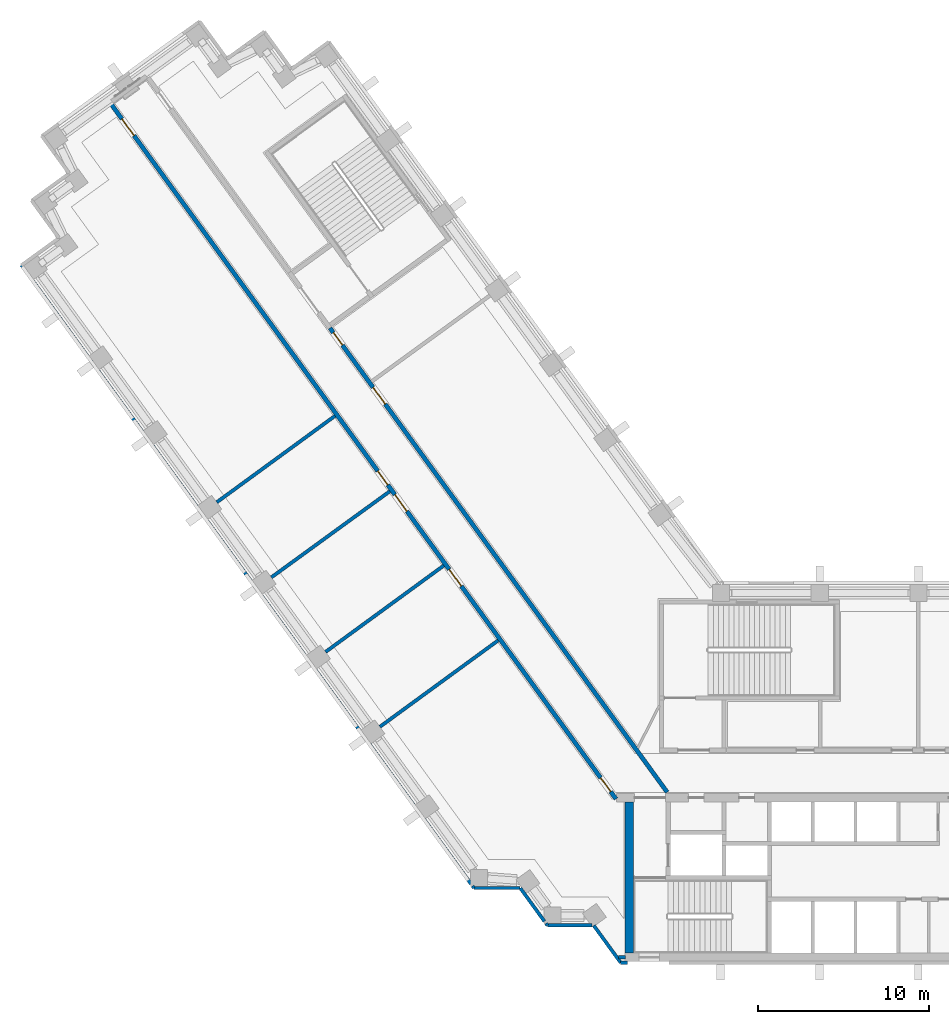
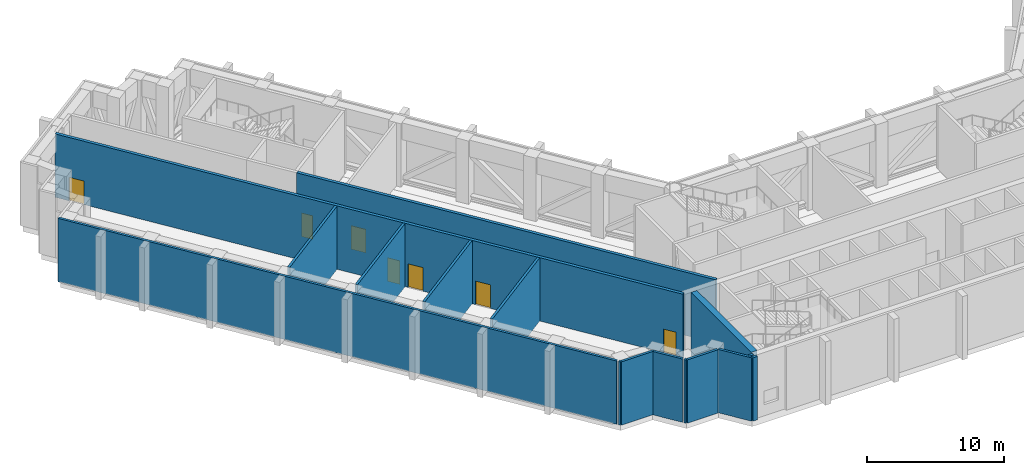
# One storey, part 11 of 19: 16 walls, 7 doors, 7 openings.
"""IFC4 building model written with IfcOpenShell, lengths in metres."""

from ifc_helpers import new_model, si_unit, direction, frame, frame_2d, origin, place, context, subcontext, project, spatial, rectangle, extrude, material, layer, layer_set, type_object, element, fill, save


model = new_model("IFC4")

# Units and contexts
model_context = context("Model", 3, precision=1e-05, world=origin(), true_north=direction((0.0, 1.0)))
body_context = subcontext(model_context, "Body", "Model", "MODEL_VIEW")
ifc_project = project(units=[si_unit("LENGTHUNIT", "METRE"), si_unit("AREAUNIT", "SQUARE_METRE"), si_unit("VOLUMEUNIT", "CUBIC_METRE"), si_unit("PLANEANGLEUNIT", "RADIAN"), si_unit("MASSUNIT", "GRAM", prefix="KILO")], contexts=[model_context])

# Site, building, storey
site_placement = place(None, origin())
site = spatial("IfcSite", under=ifc_project, at=site_placement, CompositionType="ELEMENT")
building_placement = place(site_placement, origin())
building = spatial("IfcBuilding", under=site, at=building_placement, Name="Quipu Civic Tower", CompositionType="ELEMENT")
storey_placement = place(building_placement, frame((0.0, 0.0, 25.0)))
storey = spatial("IfcBuildingStorey", under=building, at=storey_placement, Name="L05", CompositionType="ELEMENT", Elevation=25.0)

# Walls
ifc_material_1 = material(Name="Fired clay blockwork", Category="masonry")
ifc_layer_1 = layer(ifc_material_1, 0.199951171875)
ifc_layer_set_1 = layer_set([ifc_layer_1], Name="Fired clay blockwork")
wall_type_1 = type_object("IfcWallType", Name="Blockwork wall 200", PredefinedType="SOLIDWALL", material=ifc_layer_set_1)
wall_1_placement = place(storey_placement, frame((-43.835205078125, 15.80224609375, 0.0), z_axis=(0.0, 0.0, 1.0), x_axis=(0.807533485854, 0.589821726647, 0.0)))
element("IfcWall", 1, at=wall_1_placement, inside=storey, type_object=wall_type_1, Name="Partition P05", PredefinedType="SOLIDWALL", context=body_context, shape_type="SweptSolid", body=[
    extrude(rectangle(XDim=8.544921875, YDim=0.199951171875, at=frame_2d((4.2724609375, 0.0))), origin(), (0.0, 0.0, 1.0), 5.64990234375),
])
wall_2_placement = place(storey_placement, frame((-37.48681640625, 7.064208984375, 0.0), z_axis=(0.0, 0.0, 1.0), x_axis=(0.807513605299, 0.589848944441, 0.0)))
element("IfcWall", 2, at=wall_2_placement, inside=storey, type_object=wall_type_1, Name="Partition P09", PredefinedType="SOLIDWALL", context=body_context, shape_type="SweptSolid", body=[
    extrude(rectangle(XDim=8.544677734375, YDim=0.199951171875, at=frame_2d((4.2724609375, 0.0))), origin(), (0.0, 0.0, 1.0), 5.64990234375),
])
wall_3_placement = place(storey_placement, frame((-33.7373046875, 16.44091796875, 0.0), z_axis=(0.0, 0.0, 1.0), x_axis=(-0.808967063133, -0.587853970614, 0.0)))
element("IfcWall", 3, at=wall_3_placement, inside=storey, type_object=wall_type_1, Name="Partition P10", PredefinedType="SOLIDWALL", context=body_context, shape_type="SweptSolid", body=[
    extrude(rectangle(XDim=8.544921875, YDim=0.199951171875, at=frame_2d((4.2724609375, 0.0))), origin(), (0.0, 0.0, 1.0), 5.64990234375),
])
wall_4_placement = place(storey_placement, frame((-34.31298828125, 2.69580078125, 0.0), z_axis=(0.0, 0.0, 1.0), x_axis=(0.80756437274, 0.589779436639, 0.0)))
element("IfcWall", 4, at=wall_4_placement, inside=storey, type_object=wall_type_1, Name="Partition P12", PredefinedType="SOLIDWALL", context=body_context, shape_type="SweptSolid", body=[
    extrude(rectangle(XDim=8.54443359375, YDim=0.199951171875, at=frame_2d((4.272216796875, 0.0))), origin(), (0.0, 0.0, 1.0), 5.64990234375),
])
ifc_material_2 = material(Name="Concrete C70/85", Category="concrete")
ifc_layer_2 = layer(ifc_material_2, 0.5)
ifc_layer_set_2 = layer_set([ifc_layer_2], Name="Concrete C70/85")
wall_type_2 = type_object("IfcWallType", Name="Core wall 500", PredefinedType="SHEAR", material=ifc_layer_set_2)
wall_5_placement = place(storey_placement, frame((-19.75, -10.5, 0.0), z_axis=(0.0, 0.0, 1.0), x_axis=(0.0, 1.0, 0.0)))
element("IfcWall", 5, at=wall_5_placement, inside=storey, type_object=wall_type_2, Name="Core wall", PredefinedType="SHEAR", context=body_context, shape_type="SweptSolid", body=[
    extrude(rectangle(XDim=8.800048828125, YDim=0.5, at=frame_2d((4.39990234375, 0.0))), origin(), (0.0, 0.0, 1.0), 5.64990234375),
])

# Wall, openings, doors
ifc_material_3 = material(Name="Concrete C50/60", Category="concrete")
ifc_layer_3 = layer(ifc_material_3, 0.25)
ifc_layer_set_3 = layer_set([ifc_layer_3], Name="Concrete C50/60")
wall_type_3 = type_object("IfcWallType", Name="Corridor wall 250 concrete", PredefinedType="SOLIDWALL", material=ifc_layer_set_3)
wall_6_placement = place(storey_placement, frame((-20.531005859375, -1.5234375, 0.0), z_axis=(0.0, 0.0, 1.0), x_axis=(-0.587785385475, 0.809016897612, 0.0)))
wall_6 = element("IfcWall", 6, at=wall_6_placement, inside=storey, type_object=wall_type_3, Name="Corridor wall C03", PredefinedType="SOLIDWALL", context=body_context, shape_type="SweptSolid", body=[
    extrude(rectangle(XDim=50.211669921875, YDim=0.25, at=frame_2d((25.10595703125, 0.0))), origin(), (0.0, 0.0, 1.0), 5.64990234375),
])
opening_1_placement = place(wall_6_placement, frame((47.869873046875, 0.0, 0.0)))
opening_1 = element("IfcOpeningElement", 7, at=opening_1_placement, cuts=wall_6, Name="Opening D015", PredefinedType="OPENING", context=body_context, shape_type="SweptSolid", body=[
    extrude(rectangle(XDim=1.199951171875, YDim=2.10009765625, at=frame_2d((0.60009765625, 1.050048828125))), frame((0.0, 0.135009765625, 0.0), z_axis=(0.0, -1.0, 0.0), x_axis=(1.0, 0.0, 0.0)), (0.0, 0.0, 1.0), 0.27001953125),
])
opening_2_placement = place(wall_6_placement, frame((20.76513671875, 0.0, 0.0)))
opening_2 = element("IfcOpeningElement", 8, at=opening_2_placement, cuts=wall_6, Name="Opening D017", PredefinedType="OPENING", context=body_context, shape_type="SweptSolid", body=[
    extrude(rectangle(XDim=1.199951171875, YDim=2.10009765625, at=frame_2d((0.60009765625, 1.050048828125))), frame((0.0, 0.135009765625, 0.0), z_axis=(0.0, -1.0, 0.0), x_axis=(1.0, 0.0, 0.0)), (0.0, 0.0, 1.0), 0.27001953125),
])
opening_3_placement = place(wall_6_placement, frame((15.36572265625, 0.0, 0.0)))
opening_3 = element("IfcOpeningElement", 9, at=opening_3_placement, cuts=wall_6, Name="Opening D018", PredefinedType="OPENING", context=body_context, shape_type="SweptSolid", body=[
    extrude(rectangle(XDim=1.199951171875, YDim=2.10009765625, at=frame_2d((0.60009765625, 1.050048828125))), frame((0.0, 0.135009765625, 0.0), z_axis=(0.0, -1.0, 0.0), x_axis=(1.0, 0.0, 0.0)), (0.0, 0.0, 1.0), 0.27001953125),
])
opening_4_placement = place(wall_6_placement, frame((22.66650390625, 0.0, 0.0)))
opening_4 = element("IfcOpeningElement", 10, at=opening_4_placement, cuts=wall_6, Name="Opening D016", PredefinedType="OPENING", context=body_context, shape_type="SweptSolid", body=[
    extrude(rectangle(XDim=1.0, YDim=2.10009765625, at=frame_2d((0.5, 1.050048828125))), frame((0.0, 0.135009765625, 0.0), z_axis=(0.0, -1.0, 0.0), x_axis=(1.0, 0.0, 0.0)), (0.0, 0.0, 1.0), 0.27001953125),
])
opening_5_placement = place(wall_6_placement, frame((0.533203125, 0.0, 0.0)))
opening_5 = element("IfcOpeningElement", 11, at=opening_5_placement, cuts=wall_6, Name="Opening D019", PredefinedType="OPENING", context=body_context, shape_type="SweptSolid", body=[
    extrude(rectangle(XDim=1.0, YDim=2.10009765625, at=frame_2d((0.5, 1.050048828125))), frame((0.0, 0.135009765625, 0.0), z_axis=(0.0, -1.0, 0.0), x_axis=(1.0, 0.0, 0.0)), (0.0, 0.0, 1.0), 0.27001953125),
])
ifc_material_4 = material(Name="Fire rated timber door set with metal frame", Category="wood")
door_type_1 = type_object("IfcDoorType", Name="Single door 1000 x 2100 FD60", OperationType="NOTDEFINED", PredefinedType="DOOR", material=ifc_material_4)
door_1_placement = place(opening_4_placement, origin())
door_1 = element("IfcDoor", 12, at=door_1_placement, inside=storey, type_object=door_type_1, Name="Door D016", OperationType="SINGLE_SWING_LEFT", OverallHeight=2.10009765625, OverallWidth=1.0, PredefinedType="DOOR", context=body_context, shape_type="SweptSolid", body=[
    extrude(rectangle(XDim=1.0, YDim=2.10009765625, at=frame_2d((0.5, 1.050048828125))), frame((0.0, 0.02490234375, 0.0), z_axis=(0.0, -1.0, 0.0), x_axis=(1.0, 0.0, 0.0)), (0.0, 0.0, 1.0), 0.050048828125),
])
fill(opening_4, door_1)
door_2_placement = place(opening_5_placement, origin())
door_2 = element("IfcDoor", 13, at=door_2_placement, inside=storey, type_object=door_type_1, Name="Door D019", OperationType="SINGLE_SWING_LEFT", OverallHeight=2.10009765625, OverallWidth=1.0, PredefinedType="DOOR", context=body_context, shape_type="SweptSolid", body=[
    extrude(rectangle(XDim=1.0, YDim=2.10009765625, at=frame_2d((0.5, 1.050048828125))), frame((0.0, 0.02490234375, 0.0), z_axis=(0.0, -1.0, 0.0), x_axis=(1.0, 0.0, 0.0)), (0.0, 0.0, 1.0), 0.050048828125),
])
fill(opening_5, door_2)
ifc_material_5 = material(Name="Fire rated timber door set with metal frame", Category="wood")
door_type_2 = type_object("IfcDoorType", Name="Single door 1200 x 2100 FD60", OperationType="NOTDEFINED", PredefinedType="DOOR", material=ifc_material_5)
door_3_placement = place(opening_1_placement, origin())
door_3 = element("IfcDoor", 14, at=door_3_placement, inside=storey, type_object=door_type_2, Name="Door D015", OperationType="SINGLE_SWING_RIGHT", OverallHeight=2.10009765625, OverallWidth=1.199951171875, PredefinedType="DOOR", context=body_context, shape_type="SweptSolid", body=[
    extrude(rectangle(XDim=1.199951171875, YDim=2.10009765625, at=frame_2d((0.60009765625, 1.050048828125))), frame((0.0, 0.02490234375, 0.0), z_axis=(0.0, -1.0, 0.0), x_axis=(1.0, 0.0, 0.0)), (0.0, 0.0, 1.0), 0.050048828125),
])
fill(opening_1, door_3)
door_4_placement = place(opening_2_placement, origin())
door_4 = element("IfcDoor", 15, at=door_4_placement, inside=storey, type_object=door_type_2, Name="Door D017", OperationType="SINGLE_SWING_RIGHT", OverallHeight=2.10009765625, OverallWidth=1.199951171875, PredefinedType="DOOR", context=body_context, shape_type="SweptSolid", body=[
    extrude(rectangle(XDim=1.199951171875, YDim=2.10009765625, at=frame_2d((0.60009765625, 1.050048828125))), frame((0.0, 0.02490234375, 0.0), z_axis=(0.0, -1.0, 0.0), x_axis=(1.0, 0.0, 0.0)), (0.0, 0.0, 1.0), 0.050048828125),
])
fill(opening_2, door_4)
door_5_placement = place(opening_3_placement, origin())
door_5 = element("IfcDoor", 16, at=door_5_placement, inside=storey, type_object=door_type_2, Name="Door D018", OperationType="SINGLE_SWING_RIGHT", OverallHeight=2.10009765625, OverallWidth=1.199951171875, PredefinedType="DOOR", context=body_context, shape_type="SweptSolid", body=[
    extrude(rectangle(XDim=1.199951171875, YDim=2.10009765625, at=frame_2d((0.60009765625, 1.050048828125))), frame((0.0, 0.02490234375, 0.0), z_axis=(0.0, -1.0, 0.0), x_axis=(1.0, 0.0, 0.0)), (0.0, 0.0, 1.0), 0.050048828125),
])
fill(opening_3, door_5)

wall_7_placement = place(storey_placement, frame((-37.231689453125, 25.9716796875, 0.0), z_axis=(0.0, 0.0, 1.0), x_axis=(0.587786323093, -0.809016216391, 0.0)))
wall_7 = element("IfcWall", 17, at=wall_7_placement, inside=storey, type_object=wall_type_3, Name="Corridor wall C06", PredefinedType="SOLIDWALL", context=body_context, shape_type="SweptSolid", body=[
    extrude(rectangle(XDim=33.4931640625, YDim=0.25, at=frame_2d((16.74658203125, 0.0))), origin(), (0.0, 0.0, 1.0), 5.64990234375),
])
opening_6_placement = place(wall_7_placement, frame((4.28515625, 0.0, 0.0)))
opening_6 = element("IfcOpeningElement", 18, at=opening_6_placement, cuts=wall_7, Name="Opening D014", PredefinedType="OPENING", context=body_context, shape_type="SweptSolid", body=[
    extrude(rectangle(XDim=1.199951171875, YDim=2.10009765625, at=frame_2d((0.60009765625, 1.050048828125))), frame((0.0, 0.135009765625, 0.0), z_axis=(0.0, -1.0, 0.0), x_axis=(1.0, 0.0, 0.0)), (0.0, 0.0, 1.0), 0.27001953125),
])
opening_7_placement = place(wall_7_placement, frame((0.340087890625, 0.0, 0.0)))
opening_7 = element("IfcOpeningElement", 19, at=opening_7_placement, cuts=wall_7, Name="Opening D013", PredefinedType="OPENING", context=body_context, shape_type="SweptSolid", body=[
    extrude(rectangle(XDim=0.89990234375, YDim=2.10009765625, at=frame_2d((0.449951171875, 1.050048828125))), frame((0.0, 0.135009765625, 0.0), z_axis=(0.0, -1.0, 0.0), x_axis=(1.0, 0.0, 0.0)), (0.0, 0.0, 1.0), 0.27001953125),
])
door_6_placement = place(opening_6_placement, origin())
door_6 = element("IfcDoor", 20, at=door_6_placement, inside=storey, type_object=door_type_2, Name="Door D014", OperationType="SINGLE_SWING_LEFT", OverallHeight=2.10009765625, OverallWidth=1.199951171875, PredefinedType="DOOR", context=body_context, shape_type="SweptSolid", body=[
    extrude(rectangle(XDim=1.199951171875, YDim=2.10009765625, at=frame_2d((0.60009765625, 1.050048828125))), frame((0.0, 0.02490234375, 0.0), z_axis=(0.0, -1.0, 0.0), x_axis=(1.0, 0.0, 0.0)), (0.0, 0.0, 1.0), 0.050048828125),
])
fill(opening_6, door_6)
ifc_material_6 = material(Name="Fire rated timber door set with metal frame", Category="wood")
door_type_3 = type_object("IfcDoorType", Name="Single door 900 x 2100 FD60", OperationType="NOTDEFINED", PredefinedType="DOOR", material=ifc_material_6)
door_7_placement = place(opening_7_placement, origin())
door_7 = element("IfcDoor", 21, at=door_7_placement, inside=storey, type_object=door_type_3, Name="Door D013", OperationType="SINGLE_SWING_LEFT", OverallHeight=2.10009765625, OverallWidth=0.89990234375, PredefinedType="DOOR", context=body_context, shape_type="SweptSolid", body=[
    extrude(rectangle(XDim=0.89990234375, YDim=2.10009765625, at=frame_2d((0.449951171875, 1.050048828125))), frame((0.0, 0.02490234375, 0.0), z_axis=(0.0, -1.0, 0.0), x_axis=(1.0, 0.0, 0.0)), (0.0, 0.0, 1.0), 0.050048828125),
])
fill(opening_7, door_7)

# Walls
ifc_material_7 = material(Name="Precast concrete C40/50", Category="concrete")
wall_type_4 = type_object("IfcWallType", Name="Precast cladding wall", PredefinedType="SOLIDWALL", material=ifc_material_7)
wall_8_placement = place(storey_placement, frame((-55.244384765625, 29.645751953125, 0.0), z_axis=(0.0, 0.0, 1.0), x_axis=(0.587784449244, -0.809017577823, 0.0)))
element("IfcWall", 22, at=wall_8_placement, inside=storey, type_object=wall_type_4, Name="Precast cladding wall L05 11", PredefinedType="SOLIDWALL", context=body_context, shape_type="SweptSolid", body=[
    extrude(rectangle(XDim=44.65380859375, YDim=0.199951171875, at=frame_2d((22.326904296875, 0.0))), origin(), (0.0, 0.0, 1.0), 5.64990234375),
])
wall_9_placement = place(storey_placement, frame((-28.911376953125, -6.5986328125, 0.0), z_axis=(0.0, 0.0, 1.0), x_axis=(0.588358759446, -0.808600006297, 0.0)))
element("IfcWall", 23, at=wall_9_placement, inside=storey, type_object=wall_type_4, Name="Precast cladding wall L05 12", PredefinedType="SOLIDWALL", context=body_context, shape_type="SweptSolid", body=[
    extrude(rectangle(XDim=0.1552734375, YDim=0.199951171875, at=frame_2d((0.07763671875, 0.0))), origin(), (0.0, 0.0, 1.0), 5.64990234375),
])
wall_10_placement = place(storey_placement, frame((-28.81787109375, -6.71923828125, 0.0), z_axis=(0.0, 0.0, 1.0), x_axis=(1.0, 0.0, 0.0)))
element("IfcWall", 24, at=wall_10_placement, inside=storey, type_object=wall_type_4, Name="Precast cladding wall L05 13", PredefinedType="SOLIDWALL", context=body_context, shape_type="SweptSolid", body=[
    extrude(rectangle(XDim=2.68798828125, YDim=0.199951171875, at=frame_2d((1.343994140625, 0.0))), origin(), (0.0, 0.0, 1.0), 5.64990234375),
])
wall_11_placement = place(storey_placement, frame((-26.1201171875, -6.72412109375, 0.0), z_axis=(0.0, 0.0, 1.0), x_axis=(0.587706476352, -0.809074222587, 0.0)))
element("IfcWall", 25, at=wall_11_placement, inside=storey, type_object=wall_type_4, Name="Precast cladding wall L05 14", PredefinedType="SOLIDWALL", context=body_context, shape_type="SweptSolid", body=[
    extrude(rectangle(XDim=2.403076171875, YDim=0.199951171875, at=frame_2d((1.20166015625, 0.0))), origin(), (0.0, 0.0, 1.0), 5.64990234375),
])
wall_12_placement = place(storey_placement, frame((-24.623779296875, -8.78369140625, 0.0), z_axis=(0.0, 0.0, 1.0), x_axis=(0.586760218966, -0.809760733451, 0.0)))
element("IfcWall", 26, at=wall_12_placement, inside=storey, type_object=wall_type_4, Name="Precast cladding wall L05 15", PredefinedType="SOLIDWALL", context=body_context, shape_type="SweptSolid", body=[
    extrude(rectangle(XDim=0.154296875, YDim=0.199951171875, at=frame_2d((0.0771484375, 0.0))), origin(), (0.0, 0.0, 1.0), 5.64990234375),
])
wall_13_placement = place(storey_placement, frame((-24.53076171875, -8.90380859375, 0.0), z_axis=(0.0, 0.0, 1.0), x_axis=(1.0, 0.0, 0.0)))
element("IfcWall", 27, at=wall_13_placement, inside=storey, type_object=wall_type_4, Name="Precast cladding wall L05 16", PredefinedType="SOLIDWALL", context=body_context, shape_type="SweptSolid", body=[
    extrude(rectangle(XDim=2.58740234375, YDim=0.199951171875, at=frame_2d((1.293701171875, 0.0))), origin(), (0.0, 0.0, 1.0), 5.64990234375),
])
wall_14_placement = place(storey_placement, frame((-21.8330078125, -8.90869140625, 0.0), z_axis=(0.0, 0.0, 1.0), x_axis=(0.587766567315, -0.809030569476, 0.0)))
element("IfcWall", 28, at=wall_14_placement, inside=storey, type_object=wall_type_4, Name="Precast cladding wall L05 17", PredefinedType="SOLIDWALL", context=body_context, shape_type="SweptSolid", body=[
    extrude(rectangle(XDim=2.687744140625, YDim=0.199951171875, at=frame_2d((1.34375, 0.0))), origin(), (0.0, 0.0, 1.0), 5.64990234375),
])
wall_15_placement = place(storey_placement, frame((-20.255859375, -11.087890625, 0.0), z_axis=(0.0, 0.0, 1.0), x_axis=(1.0, 0.0, 0.0)))
element("IfcWall", 29, at=wall_15_placement, inside=storey, type_object=wall_type_4, Name="Precast cladding wall L05 18", PredefinedType="SOLIDWALL", context=body_context, shape_type="SweptSolid", body=[
    extrude(rectangle(XDim=0.40576171875, YDim=0.199951171875, at=frame_2d((0.202880859375, 0.0))), origin(), (0.0, 0.0, 1.0), 5.64990234375),
])
wall_16_placement = place(storey_placement, frame((-19.97998046875, -10.75, 0.0), z_axis=(0.0, 0.0, 1.0), x_axis=(-1.0, 0.0, 0.0)))
element("IfcWall", 30, at=wall_16_placement, inside=storey, type_object=wall_type_4, Name="Precast cladding return L05 W", PredefinedType="SOLIDWALL", context=body_context, shape_type="SweptSolid", body=[
    extrude(rectangle(XDim=0.41650390625, YDim=0.199951171875, at=frame_2d((0.208251953125, 0.0))), origin(), (0.0, 0.0, 1.0), 5.64990234375),
])

save(model, "model.ifc")
